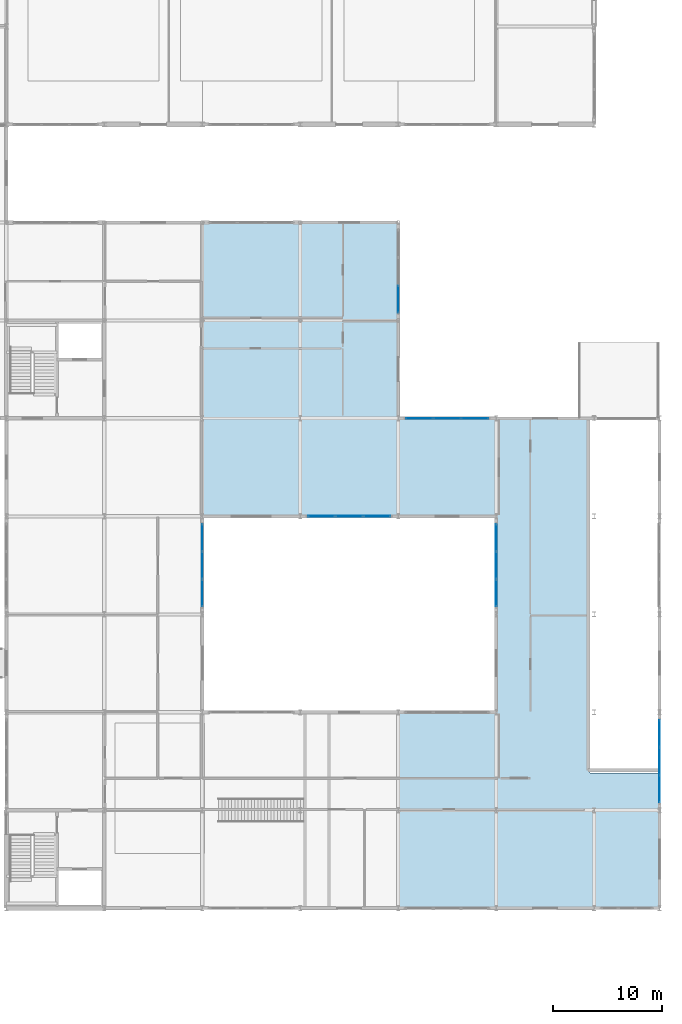
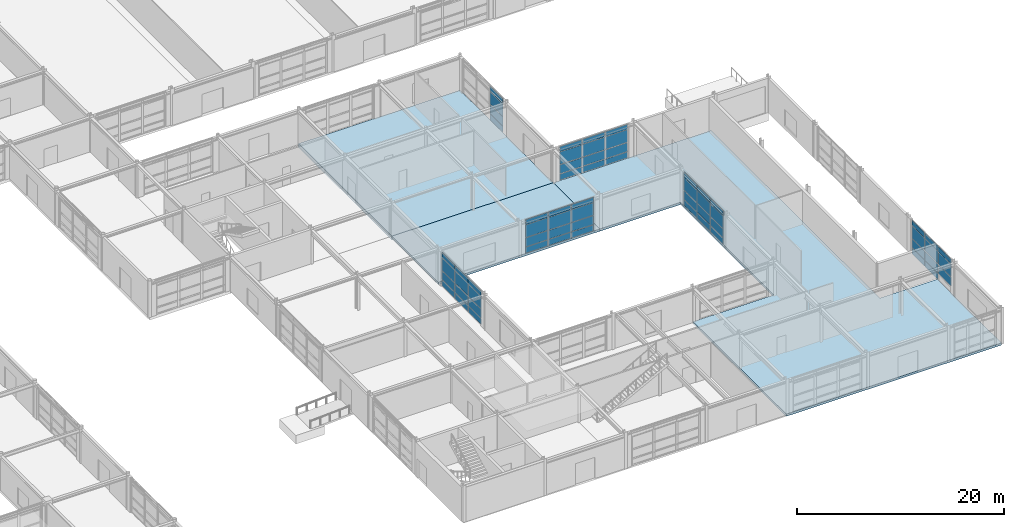
# One storey, part 52 of 72: 63 plates, 3 slabs, 6 elements without a shape of their own.
"""IFC4 building model written with IfcOpenShell, lengths in metres."""

from ifc_helpers import new_model, si_unit, direction, frame, origin, origin_2d, place, context, subcontext, project, spatial, polyline, rectangle, outline, extrude, material, layer, layer_set, type_object, element, aggregate, save


model = new_model("IFC4")

# Units and contexts
model_context = context("Model", 3, precision=1e-05, world=origin(), true_north=direction((0.0, 1.0)))
body_context = subcontext(model_context, "Body", "Model", "MODEL_VIEW")
ifc_project = project(units=[si_unit("LENGTHUNIT", "METRE"), si_unit("AREAUNIT", "SQUARE_METRE"), si_unit("VOLUMEUNIT", "CUBIC_METRE"), si_unit("PLANEANGLEUNIT", "RADIAN"), si_unit("MASSUNIT", "GRAM", prefix="KILO")], contexts=[model_context])

# Site, building, storey
site_placement = place(None, origin())
site = spatial("IfcSite", under=ifc_project, at=site_placement, CompositionType="ELEMENT")
building_placement = place(site_placement, origin())
building = spatial("IfcBuilding", under=site, at=building_placement, Name="Palais des Congres Ocreval", CompositionType="ELEMENT")
storey_placement = place(building_placement, origin())
storey = spatial("IfcBuildingStorey", under=building, at=storey_placement, Name="L00", CompositionType="ELEMENT", Elevation=0.0)

# Curtain wall, plates
ifc_material_1 = material(Name="Anodized bronze aluminium and low-E glass", Category="glass")
curtain_wall_type = type_object("IfcCurtainWallType", Name="Unitised Curtain Wall 7900x4060", PredefinedType="USERDEFINED", material=ifc_material_1)
curtain_wall_1_placement = place(storey_placement, origin())
curtain_wall_1 = element("IfcCurtainWall", 1, at=curtain_wall_1_placement, inside=storey, type_object=curtain_wall_type, Name="Unitised Curtain Wall CW01 L00", ObjectType="UNITISED CURTAIN WALL", PredefinedType="USERDEFINED")
ifc_material_2 = material(Name="Acoustic triple glazing", Category="glass")
ifc_layer_1 = layer(ifc_material_2, 0.0439453125)
ifc_layer_set_1 = layer_set([ifc_layer_1], Name="Acoustic Laminated Glazing Panel 44 (Acoustic triple glazing)")
plate_type_1 = type_object("IfcPlateType", Name="Acoustic Laminated Glazing Panel 44", PredefinedType="CURTAIN_PANEL", material=ifc_layer_set_1)
plate_1_placement = place(storey_placement, frame((153.0, 28.9521484375, 0.06005859375), z_axis=(0.0, 0.0, 1.0), x_axis=(0.0, 1.0, 0.0)))
plate_1 = element("IfcPlate", 2, at=plate_1_placement, type_object=plate_type_1, Name="Vision Glazing Panel VP02", PredefinedType="CURTAIN_PANEL", context=body_context, shape_type="SweptSolid", body=[
    extrude(rectangle(XDim=2.4541015625, YDim=0.0439453125, at=origin_2d()), origin(), (0.0, 0.0, 1.0), 0.68994140625),
])
plate_2_placement = place(storey_placement, frame((153.0, 28.9521484375, 0.81005859375), z_axis=(0.0, 0.0, 1.0), x_axis=(0.0, 1.0, 0.0)))
plate_2 = element("IfcPlate", 3, at=plate_2_placement, type_object=plate_type_1, Name="Vision Glazing Panel VP02", PredefinedType="CURTAIN_PANEL", context=body_context, shape_type="SweptSolid", body=[
    extrude(rectangle(XDim=2.4541015625, YDim=0.0439453125, at=origin_2d()), origin(), (0.0, 0.0, 1.0), 1.03271484375),
])
plate_3_placement = place(storey_placement, frame((153.0, 28.9521484375, 1.90283203125), z_axis=(0.0, 0.0, 1.0), x_axis=(0.0, 1.0, 0.0)))
plate_3 = element("IfcPlate", 4, at=plate_3_placement, type_object=plate_type_1, Name="Vision Glazing Panel VP02", PredefinedType="CURTAIN_PANEL", context=body_context, shape_type="SweptSolid", body=[
    extrude(rectangle(XDim=2.4541015625, YDim=0.0439453125, at=origin_2d()), origin(), (0.0, 0.0, 1.0), 1.47216796875),
])
plate_4_placement = place(storey_placement, frame((153.0, 31.5, 0.06005859375), z_axis=(0.0, 0.0, 1.0), x_axis=(0.0, 1.0, 0.0)))
plate_4 = element("IfcPlate", 5, at=plate_4_placement, type_object=plate_type_1, Name="Vision Glazing Panel VP02", PredefinedType="CURTAIN_PANEL", context=body_context, shape_type="SweptSolid", body=[
    extrude(rectangle(XDim=2.49169921875, YDim=0.0439453125, at=origin_2d()), origin(), (0.0, 0.0, 1.0), 0.68994140625),
])
plate_5_placement = place(storey_placement, frame((153.0, 31.5, 0.81005859375), z_axis=(0.0, 0.0, 1.0), x_axis=(0.0, 1.0, 0.0)))
plate_5 = element("IfcPlate", 6, at=plate_5_placement, type_object=plate_type_1, Name="Vision Glazing Panel VP02", PredefinedType="CURTAIN_PANEL", context=body_context, shape_type="SweptSolid", body=[
    extrude(rectangle(XDim=2.49169921875, YDim=0.0439453125, at=origin_2d()), origin(), (0.0, 0.0, 1.0), 1.03271484375),
])
plate_6_placement = place(storey_placement, frame((153.0, 31.5, 1.90283203125), z_axis=(0.0, 0.0, 1.0), x_axis=(0.0, 1.0, 0.0)))
plate_6 = element("IfcPlate", 7, at=plate_6_placement, type_object=plate_type_1, Name="Vision Glazing Panel VP02", PredefinedType="CURTAIN_PANEL", context=body_context, shape_type="SweptSolid", body=[
    extrude(rectangle(XDim=2.49169921875, YDim=0.0439453125, at=origin_2d()), origin(), (0.0, 0.0, 1.0), 1.47216796875),
])
plate_7_placement = place(storey_placement, frame((153.0, 34.0478515625, 0.06005859375), z_axis=(0.0, 0.0, 1.0), x_axis=(0.0, 1.0, 0.0)))
plate_7 = element("IfcPlate", 8, at=plate_7_placement, type_object=plate_type_1, Name="Vision Glazing Panel VP02", PredefinedType="CURTAIN_PANEL", context=body_context, shape_type="SweptSolid", body=[
    extrude(rectangle(XDim=2.4541015625, YDim=0.0439453125, at=origin_2d()), origin(), (0.0, 0.0, 1.0), 0.68994140625),
])
plate_8_placement = place(storey_placement, frame((153.0, 34.0478515625, 0.81005859375), z_axis=(0.0, 0.0, 1.0), x_axis=(0.0, 1.0, 0.0)))
plate_8 = element("IfcPlate", 9, at=plate_8_placement, type_object=plate_type_1, Name="Vision Glazing Panel VP02", PredefinedType="CURTAIN_PANEL", context=body_context, shape_type="SweptSolid", body=[
    extrude(rectangle(XDim=2.4541015625, YDim=0.0439453125, at=origin_2d()), origin(), (0.0, 0.0, 1.0), 1.03271484375),
])
plate_9_placement = place(storey_placement, frame((153.0, 34.0478515625, 1.90283203125), z_axis=(0.0, 0.0, 1.0), x_axis=(0.0, 1.0, 0.0)))
plate_9 = element("IfcPlate", 10, at=plate_9_placement, type_object=plate_type_1, Name="Vision Glazing Panel VP02", PredefinedType="CURTAIN_PANEL", context=body_context, shape_type="SweptSolid", body=[
    extrude(rectangle(XDim=2.4541015625, YDim=0.0439453125, at=origin_2d()), origin(), (0.0, 0.0, 1.0), 1.47216796875),
])

curtain_wall_2_placement = place(storey_placement, origin())
curtain_wall_2 = element("IfcCurtainWall", 11, at=curtain_wall_2_placement, inside=storey, type_object=curtain_wall_type, Name="Unitised Curtain Wall CW01 L00", ObjectType="UNITISED CURTAIN WALL", PredefinedType="USERDEFINED")
ifc_material_3 = material(Name="Anodized bronze aluminium", Category="aluminium")
ifc_layer_2 = layer(ifc_material_3, 0.06005859375)
ifc_layer_set_2 = layer_set([ifc_layer_2], Name="Anodized Bronze Spandrel Cassette 60 (Anodized bronze aluminium)")
plate_type_2 = type_object("IfcPlateType", Name="Anodized Bronze Spandrel Cassette 60", PredefinedType="SHEET", material=ifc_layer_set_2)
plate_10_placement = place(storey_placement, frame((145.9521484375, 45.0, 3.43505859375), z_axis=(0.0, 0.0, 1.0), x_axis=(1.0, 0.0, 0.0)))
plate_10 = element("IfcPlate", 12, at=plate_10_placement, type_object=plate_type_2, Name="Spandrel Sheet SPN1", PredefinedType="SHEET", context=body_context, shape_type="SweptSolid", body=[
    extrude(rectangle(XDim=2.4541015625, YDim=0.06005859375, at=origin_2d()), origin(), (0.0, 0.0, 1.0), 0.56005859375),
])
plate_11_placement = place(storey_placement, frame((148.5, 45.0, 3.43505859375), z_axis=(0.0, 0.0, 1.0), x_axis=(1.0, 0.0, 0.0)))
plate_11 = element("IfcPlate", 13, at=plate_11_placement, type_object=plate_type_2, Name="Spandrel Sheet SPN1", PredefinedType="SHEET", context=body_context, shape_type="SweptSolid", body=[
    extrude(rectangle(XDim=2.49169921875, YDim=0.06005859375, at=origin_2d()), origin(), (0.0, 0.0, 1.0), 0.56005859375),
])
plate_12_placement = place(storey_placement, frame((151.0478515625, 45.0, 3.43505859375), z_axis=(0.0, 0.0, 1.0), x_axis=(1.0, 0.0, 0.0)))
plate_12 = element("IfcPlate", 14, at=plate_12_placement, type_object=plate_type_2, Name="Spandrel Sheet SPN1", PredefinedType="SHEET", context=body_context, shape_type="SweptSolid", body=[
    extrude(rectangle(XDim=2.4541015625, YDim=0.06005859375, at=origin_2d()), origin(), (0.0, 0.0, 1.0), 0.56005859375),
])

curtain_wall_3_placement = place(storey_placement, origin())
curtain_wall_3 = element("IfcCurtainWall", 15, at=curtain_wall_3_placement, inside=storey, type_object=curtain_wall_type, Name="Unitised Curtain Wall CW01 L00", ObjectType="UNITISED CURTAIN WALL", PredefinedType="USERDEFINED")
plate_13_placement = place(storey_placement, frame((168.0, 16.0478515625, 3.43505859375), z_axis=(0.0, 0.0, 1.0), x_axis=(0.0, -1.0, 0.0)))
plate_13 = element("IfcPlate", 16, at=plate_13_placement, type_object=plate_type_2, Name="Spandrel Sheet SPN1", PredefinedType="SHEET", context=body_context, shape_type="SweptSolid", body=[
    extrude(rectangle(XDim=2.4541015625, YDim=0.06005859375, at=origin_2d()), origin(), (0.0, 0.0, 1.0), 0.56005859375),
])
plate_14_placement = place(storey_placement, frame((168.0, 13.5, 3.43505859375), z_axis=(0.0, 0.0, 1.0), x_axis=(0.0, -1.0, 0.0)))
plate_14 = element("IfcPlate", 17, at=plate_14_placement, type_object=plate_type_2, Name="Spandrel Sheet SPN1", PredefinedType="SHEET", context=body_context, shape_type="SweptSolid", body=[
    extrude(rectangle(XDim=2.49169921875, YDim=0.06005859375, at=origin_2d()), origin(), (0.0, 0.0, 1.0), 0.56005859375),
])
plate_15_placement = place(storey_placement, frame((168.0, 10.9521484375, 3.43505859375), z_axis=(0.0, 0.0, 1.0), x_axis=(0.0, -1.0, 0.0)))
plate_15 = element("IfcPlate", 18, at=plate_15_placement, type_object=plate_type_2, Name="Spandrel Sheet SPN1", PredefinedType="SHEET", context=body_context, shape_type="SweptSolid", body=[
    extrude(rectangle(XDim=2.4541015625, YDim=0.06005859375, at=origin_2d()), origin(), (0.0, 0.0, 1.0), 0.56005859375),
])

curtain_wall_4_placement = place(storey_placement, origin())
curtain_wall_4 = element("IfcCurtainWall", 19, at=curtain_wall_4_placement, inside=storey, type_object=curtain_wall_type, Name="Unitised Curtain Wall CW01 L00", ObjectType="UNITISED CURTAIN WALL", PredefinedType="USERDEFINED")
plate_16_placement = place(storey_placement, frame((142.0478515625, 36.0, 3.43505859375), z_axis=(0.0, 0.0, 1.0), x_axis=(-1.0, 0.0, 0.0)))
plate_16 = element("IfcPlate", 20, at=plate_16_placement, type_object=plate_type_2, Name="Spandrel Sheet SPN1", PredefinedType="SHEET", context=body_context, shape_type="SweptSolid", body=[
    extrude(rectangle(XDim=2.4541015625, YDim=0.06005859375, at=origin_2d()), origin(), (0.0, 0.0, 1.0), 0.56005859375),
])
plate_17_placement = place(storey_placement, frame((139.5, 36.0, 3.43505859375), z_axis=(0.0, 0.0, 1.0), x_axis=(-1.0, 0.0, 0.0)))
plate_17 = element("IfcPlate", 21, at=plate_17_placement, type_object=plate_type_2, Name="Spandrel Sheet SPN1", PredefinedType="SHEET", context=body_context, shape_type="SweptSolid", body=[
    extrude(rectangle(XDim=2.49169921875, YDim=0.06005859375, at=origin_2d()), origin(), (0.0, 0.0, 1.0), 0.56005859375),
])
plate_18_placement = place(storey_placement, frame((136.9521484375, 36.0, 3.43505859375), z_axis=(0.0, 0.0, 1.0), x_axis=(-1.0, 0.0, 0.0)))
plate_18 = element("IfcPlate", 22, at=plate_18_placement, type_object=plate_type_2, Name="Spandrel Sheet SPN1", PredefinedType="SHEET", context=body_context, shape_type="SweptSolid", body=[
    extrude(rectangle(XDim=2.4541015625, YDim=0.06005859375, at=origin_2d()), origin(), (0.0, 0.0, 1.0), 0.56005859375),
])

curtain_wall_5_placement = place(storey_placement, origin())
curtain_wall_5 = element("IfcCurtainWall", 23, at=curtain_wall_5_placement, inside=storey, type_object=curtain_wall_type, Name="Unitised Curtain Wall CW01 L00", ObjectType="UNITISED CURTAIN WALL", PredefinedType="USERDEFINED")
ifc_material_4 = material(Name="Low-E solar-control double glazing", Category="glass")
ifc_layer_3 = layer(ifc_material_4, 0.031982421875)
ifc_layer_set_3 = layer_set([ifc_layer_3], Name="Galleria Clear Vision Panel 32 (Low-E solar-control double glazing)")
plate_type_3 = type_object("IfcPlateType", Name="Galleria Clear Vision Panel 32", PredefinedType="CURTAIN_PANEL", material=ifc_layer_set_3)
plate_19_placement = place(storey_placement, frame((144.0, 55.9521484375, 0.06005859375), z_axis=(0.0, 0.0, 1.0), x_axis=(0.0, -1.0, 0.0)))
plate_19 = element("IfcPlate", 24, at=plate_19_placement, type_object=plate_type_3, Name="Vision Glazing Panel VP03", PredefinedType="CURTAIN_PANEL", context=body_context, shape_type="SweptSolid", body=[
    extrude(rectangle(XDim=2.4541015625, YDim=0.031982421875, at=origin_2d()), origin(), (0.0, 0.0, 1.0), 0.68994140625),
])
plate_20_placement = place(storey_placement, frame((144.0, 55.9521484375, 0.81005859375), z_axis=(0.0, 0.0, 1.0), x_axis=(0.0, -1.0, 0.0)))
plate_20 = element("IfcPlate", 25, at=plate_20_placement, type_object=plate_type_3, Name="Vision Glazing Panel VP03", PredefinedType="CURTAIN_PANEL", context=body_context, shape_type="SweptSolid", body=[
    extrude(rectangle(XDim=2.4541015625, YDim=0.031982421875, at=origin_2d()), origin(), (0.0, 0.0, 1.0), 1.03271484375),
])
plate_21_placement = place(storey_placement, frame((144.0, 55.9521484375, 1.90283203125), z_axis=(0.0, 0.0, 1.0), x_axis=(0.0, -1.0, 0.0)))
plate_21 = element("IfcPlate", 26, at=plate_21_placement, type_object=plate_type_3, Name="Vision Glazing Panel VP03", PredefinedType="CURTAIN_PANEL", context=body_context, shape_type="SweptSolid", body=[
    extrude(rectangle(XDim=2.4541015625, YDim=0.031982421875, at=origin_2d()), origin(), (0.0, 0.0, 1.0), 1.47216796875),
])

# Plate
plate_22_placement = place(storey_placement, frame((168.0, 16.0478515625, 0.06005859375), z_axis=(0.0, 0.0, 1.0), x_axis=(0.0, -1.0, 0.0)))
plate_22 = element("IfcPlate", 27, at=plate_22_placement, type_object=plate_type_3, Name="Vision Glazing Panel VP03", PredefinedType="CURTAIN_PANEL", context=body_context, shape_type="SweptSolid", body=[
    extrude(rectangle(XDim=2.4541015625, YDim=0.031982421875, at=origin_2d()), origin(), (0.0, 0.0, 1.0), 0.68994140625),
])

plate_23_placement = place(storey_placement, frame((168.0, 16.0478515625, 0.81005859375), z_axis=(0.0, 0.0, 1.0), x_axis=(0.0, -1.0, 0.0)))
plate_23 = element("IfcPlate", 28, at=plate_23_placement, type_object=plate_type_3, Name="Vision Glazing Panel VP03", PredefinedType="CURTAIN_PANEL", context=body_context, shape_type="SweptSolid", body=[
    extrude(rectangle(XDim=2.4541015625, YDim=0.031982421875, at=origin_2d()), origin(), (0.0, 0.0, 1.0), 1.03271484375),
])

plate_24_placement = place(storey_placement, frame((168.0, 16.0478515625, 1.90283203125), z_axis=(0.0, 0.0, 1.0), x_axis=(0.0, -1.0, 0.0)))
plate_24 = element("IfcPlate", 29, at=plate_24_placement, type_object=plate_type_3, Name="Vision Glazing Panel VP03", PredefinedType="CURTAIN_PANEL", context=body_context, shape_type="SweptSolid", body=[
    extrude(rectangle(XDim=2.4541015625, YDim=0.031982421875, at=origin_2d()), origin(), (0.0, 0.0, 1.0), 1.47216796875),
])

plate_25_placement = place(storey_placement, frame((168.0, 13.5, 0.06005859375), z_axis=(0.0, 0.0, 1.0), x_axis=(0.0, -1.0, 0.0)))
plate_25 = element("IfcPlate", 30, at=plate_25_placement, type_object=plate_type_3, Name="Vision Glazing Panel VP03", PredefinedType="CURTAIN_PANEL", context=body_context, shape_type="SweptSolid", body=[
    extrude(rectangle(XDim=2.49169921875, YDim=0.031982421875, at=origin_2d()), origin(), (0.0, 0.0, 1.0), 0.68994140625),
])

plate_26_placement = place(storey_placement, frame((168.0, 13.5, 0.81005859375), z_axis=(0.0, 0.0, 1.0), x_axis=(0.0, -1.0, 0.0)))
plate_26 = element("IfcPlate", 31, at=plate_26_placement, type_object=plate_type_3, Name="Vision Glazing Panel VP03", PredefinedType="CURTAIN_PANEL", context=body_context, shape_type="SweptSolid", body=[
    extrude(rectangle(XDim=2.49169921875, YDim=0.031982421875, at=origin_2d()), origin(), (0.0, 0.0, 1.0), 1.03271484375),
])

plate_27_placement = place(storey_placement, frame((168.0, 13.5, 1.90283203125), z_axis=(0.0, 0.0, 1.0), x_axis=(0.0, -1.0, 0.0)))
plate_27 = element("IfcPlate", 32, at=plate_27_placement, type_object=plate_type_3, Name="Vision Glazing Panel VP03", PredefinedType="CURTAIN_PANEL", context=body_context, shape_type="SweptSolid", body=[
    extrude(rectangle(XDim=2.49169921875, YDim=0.031982421875, at=origin_2d()), origin(), (0.0, 0.0, 1.0), 1.47216796875),
])

plate_28_placement = place(storey_placement, frame((168.0, 10.9521484375, 0.81005859375), z_axis=(0.0, 0.0, 1.0), x_axis=(0.0, -1.0, 0.0)))
plate_28 = element("IfcPlate", 33, at=plate_28_placement, type_object=plate_type_3, Name="Vision Glazing Panel VP03", PredefinedType="CURTAIN_PANEL", context=body_context, shape_type="SweptSolid", body=[
    extrude(rectangle(XDim=2.4541015625, YDim=0.031982421875, at=origin_2d()), origin(), (0.0, 0.0, 1.0), 1.03271484375),
])

plate_29_placement = place(storey_placement, frame((168.0, 10.9521484375, 1.90283203125), z_axis=(0.0, 0.0, 1.0), x_axis=(0.0, -1.0, 0.0)))
plate_29 = element("IfcPlate", 34, at=plate_29_placement, type_object=plate_type_3, Name="Vision Glazing Panel VP03", PredefinedType="CURTAIN_PANEL", context=body_context, shape_type="SweptSolid", body=[
    extrude(rectangle(XDim=2.4541015625, YDim=0.031982421875, at=origin_2d()), origin(), (0.0, 0.0, 1.0), 1.47216796875),
])

aggregate(curtain_wall_3, [plate_22, plate_23, plate_24, plate_13, plate_25, plate_26, plate_27, plate_14, plate_28, plate_29, plate_15])

plate_30_placement = place(storey_placement, frame((142.0478515625, 36.0, 0.06005859375), z_axis=(0.0, 0.0, 1.0), x_axis=(-1.0, 0.0, 0.0)))
plate_30 = element("IfcPlate", 35, at=plate_30_placement, type_object=plate_type_3, Name="Vision Glazing Panel VP03", PredefinedType="CURTAIN_PANEL", context=body_context, shape_type="SweptSolid", body=[
    extrude(rectangle(XDim=2.4541015625, YDim=0.031982421875, at=origin_2d()), origin(), (0.0, 0.0, 1.0), 0.68994140625),
])

plate_31_placement = place(storey_placement, frame((142.0478515625, 36.0, 0.81005859375), z_axis=(0.0, 0.0, 1.0), x_axis=(-1.0, 0.0, 0.0)))
plate_31 = element("IfcPlate", 36, at=plate_31_placement, type_object=plate_type_3, Name="Vision Glazing Panel VP03", PredefinedType="CURTAIN_PANEL", context=body_context, shape_type="SweptSolid", body=[
    extrude(rectangle(XDim=2.4541015625, YDim=0.031982421875, at=origin_2d()), origin(), (0.0, 0.0, 1.0), 1.03271484375),
])

plate_32_placement = place(storey_placement, frame((142.0478515625, 36.0, 1.90283203125), z_axis=(0.0, 0.0, 1.0), x_axis=(-1.0, 0.0, 0.0)))
plate_32 = element("IfcPlate", 37, at=plate_32_placement, type_object=plate_type_3, Name="Vision Glazing Panel VP03", PredefinedType="CURTAIN_PANEL", context=body_context, shape_type="SweptSolid", body=[
    extrude(rectangle(XDim=2.4541015625, YDim=0.031982421875, at=origin_2d()), origin(), (0.0, 0.0, 1.0), 1.47216796875),
])

plate_33_placement = place(storey_placement, frame((139.5, 36.0, 0.06005859375), z_axis=(0.0, 0.0, 1.0), x_axis=(-1.0, 0.0, 0.0)))
plate_33 = element("IfcPlate", 38, at=plate_33_placement, type_object=plate_type_3, Name="Vision Glazing Panel VP03", PredefinedType="CURTAIN_PANEL", context=body_context, shape_type="SweptSolid", body=[
    extrude(rectangle(XDim=2.49169921875, YDim=0.031982421875, at=origin_2d()), origin(), (0.0, 0.0, 1.0), 0.68994140625),
])

plate_34_placement = place(storey_placement, frame((139.5, 36.0, 0.81005859375), z_axis=(0.0, 0.0, 1.0), x_axis=(-1.0, 0.0, 0.0)))
plate_34 = element("IfcPlate", 39, at=plate_34_placement, type_object=plate_type_3, Name="Vision Glazing Panel VP03", PredefinedType="CURTAIN_PANEL", context=body_context, shape_type="SweptSolid", body=[
    extrude(rectangle(XDim=2.49169921875, YDim=0.031982421875, at=origin_2d()), origin(), (0.0, 0.0, 1.0), 1.03271484375),
])

plate_35_placement = place(storey_placement, frame((139.5, 36.0, 1.90283203125), z_axis=(0.0, 0.0, 1.0), x_axis=(-1.0, 0.0, 0.0)))
plate_35 = element("IfcPlate", 40, at=plate_35_placement, type_object=plate_type_3, Name="Vision Glazing Panel VP03", PredefinedType="CURTAIN_PANEL", context=body_context, shape_type="SweptSolid", body=[
    extrude(rectangle(XDim=2.49169921875, YDim=0.031982421875, at=origin_2d()), origin(), (0.0, 0.0, 1.0), 1.47216796875),
])

plate_36_placement = place(storey_placement, frame((136.9521484375, 36.0, 0.06005859375), z_axis=(0.0, 0.0, 1.0), x_axis=(-1.0, 0.0, 0.0)))
plate_36 = element("IfcPlate", 41, at=plate_36_placement, type_object=plate_type_3, Name="Vision Glazing Panel VP03", PredefinedType="CURTAIN_PANEL", context=body_context, shape_type="SweptSolid", body=[
    extrude(rectangle(XDim=2.4541015625, YDim=0.031982421875, at=origin_2d()), origin(), (0.0, 0.0, 1.0), 0.68994140625),
])

plate_37_placement = place(storey_placement, frame((136.9521484375, 36.0, 0.81005859375), z_axis=(0.0, 0.0, 1.0), x_axis=(-1.0, 0.0, 0.0)))
plate_37 = element("IfcPlate", 42, at=plate_37_placement, type_object=plate_type_3, Name="Vision Glazing Panel VP03", PredefinedType="CURTAIN_PANEL", context=body_context, shape_type="SweptSolid", body=[
    extrude(rectangle(XDim=2.4541015625, YDim=0.031982421875, at=origin_2d()), origin(), (0.0, 0.0, 1.0), 1.03271484375),
])

plate_38_placement = place(storey_placement, frame((136.9521484375, 36.0, 1.90283203125), z_axis=(0.0, 0.0, 1.0), x_axis=(-1.0, 0.0, 0.0)))
plate_38 = element("IfcPlate", 43, at=plate_38_placement, type_object=plate_type_3, Name="Vision Glazing Panel VP03", PredefinedType="CURTAIN_PANEL", context=body_context, shape_type="SweptSolid", body=[
    extrude(rectangle(XDim=2.4541015625, YDim=0.031982421875, at=origin_2d()), origin(), (0.0, 0.0, 1.0), 1.47216796875),
])

aggregate(curtain_wall_4, [plate_30, plate_31, plate_32, plate_16, plate_33, plate_34, plate_35, plate_17, plate_36, plate_37, plate_38, plate_18])

# Slabs
ifc_material_5 = material(Name="Concrete C40/50", Category="concrete")
ifc_layer_4 = layer(ifc_material_5, 0.260009765625)
ifc_layer_set_4 = layer_set([ifc_layer_4], Name="Ground Podium Slab 260 Concrete C40/50")
slab_type_1 = type_object("IfcSlabType", Name="Ground Podium Slab 260 Concrete C40/50", PredefinedType="FLOOR", material=ifc_layer_set_4)
slab_1_placement = place(storey_placement, frame((0.0, 0.0, -0.260009765625)))
element("IfcSlab", 44, at=slab_1_placement, inside=storey, type_object=slab_type_1, Name="Floor Slab SL08 L00 V3-2", PredefinedType="FLOOR", context=body_context, shape_type="SweptSolid", body=[
    extrude(outline(polyline([(144.0, 45.0), (144.0, 36.0), (126.0, 36.0), (126.0, 45.0), (144.0, 45.0)])), origin(), (0.0, 0.0, 1.0), 0.260009765625),
])
slab_2_placement = place(storey_placement, frame((0.0, 0.0, -0.260009765625)))
element("IfcSlab", 45, at=slab_2_placement, inside=storey, type_object=slab_type_1, Name="Floor Slab SL08 L00 V3-4", PredefinedType="FLOOR", context=body_context, shape_type="SweptSolid", body=[
    extrude(outline(polyline([(153.0, 45.0), (161.60009765625, 45.0), (161.60009765625, 12.39990234375), (168.0, 12.39990234375), (168.0, 0.0), (144.0, 0.0), (144.0, 18.0), (153.0, 18.0), (153.0, 36.0), (144.0, 36.0), (144.0, 45.0), (153.0, 45.0)])), origin(), (0.0, 0.0, 1.0), 0.260009765625),
])
ifc_layer_5 = layer(ifc_material_5, 0.449951171875)
ifc_layer_set_5 = layer_set([ifc_layer_5], Name="Hydrotherapy Pool and Cistern Slab 450 Concrete C40/50")
slab_type_2 = type_object("IfcSlabType", Name="Hydrotherapy Pool and Cistern Slab 450 Concrete C40/50", PredefinedType="FLOOR", material=ifc_layer_set_5)
slab_3_placement = place(storey_placement, frame((0.0, 0.0, -0.449951171875)))
element("IfcSlab", 46, at=slab_3_placement, inside=storey, type_object=slab_type_2, Name="Floor Slab SL03 L00 V5-8", PredefinedType="FLOOR", context=body_context, shape_type="SweptSolid", body=[
    extrude(outline(polyline([(144.0, 63.0), (144.0, 45.0), (126.0, 45.0), (126.0, 63.0), (144.0, 63.0)])), origin(), (0.0, 0.0, 1.0), 0.449951171875),
])

# Plate
ifc_layer_6 = layer(ifc_material_4, 0.035888671875)
ifc_layer_set_6 = layer_set([ifc_layer_6], Name="Low-E Vision Glazing Panel 36 (Low-E solar-control double glazing)")
plate_type_4 = type_object("IfcPlateType", Name="Low-E Vision Glazing Panel 36", PredefinedType="CURTAIN_PANEL", material=ifc_layer_set_6)
plate_39_placement = place(storey_placement, frame((145.9521484375, 45.0, 0.06005859375), z_axis=(0.0, 0.0, 1.0), x_axis=(1.0, 0.0, 0.0)))
plate_39 = element("IfcPlate", 47, at=plate_39_placement, type_object=plate_type_4, Name="Vision Glazing Panel VP01", PredefinedType="CURTAIN_PANEL", context=body_context, shape_type="SweptSolid", body=[
    extrude(rectangle(XDim=2.4541015625, YDim=0.035888671875, at=origin_2d()), origin(), (0.0, 0.0, 1.0), 0.68994140625),
])

plate_40_placement = place(storey_placement, frame((145.9521484375, 45.0, 0.81005859375), z_axis=(0.0, 0.0, 1.0), x_axis=(1.0, 0.0, 0.0)))
plate_40 = element("IfcPlate", 48, at=plate_40_placement, type_object=plate_type_4, Name="Vision Glazing Panel VP01", PredefinedType="CURTAIN_PANEL", context=body_context, shape_type="SweptSolid", body=[
    extrude(rectangle(XDim=2.4541015625, YDim=0.035888671875, at=origin_2d()), origin(), (0.0, 0.0, 1.0), 1.03271484375),
])

plate_41_placement = place(storey_placement, frame((145.9521484375, 45.0, 1.90283203125), z_axis=(0.0, 0.0, 1.0), x_axis=(1.0, 0.0, 0.0)))
plate_41 = element("IfcPlate", 49, at=plate_41_placement, type_object=plate_type_4, Name="Vision Glazing Panel VP01", PredefinedType="CURTAIN_PANEL", context=body_context, shape_type="SweptSolid", body=[
    extrude(rectangle(XDim=2.4541015625, YDim=0.035888671875, at=origin_2d()), origin(), (0.0, 0.0, 1.0), 1.47216796875),
])

plate_42_placement = place(storey_placement, frame((148.5, 45.0, 0.06005859375), z_axis=(0.0, 0.0, 1.0), x_axis=(1.0, 0.0, 0.0)))
plate_42 = element("IfcPlate", 50, at=plate_42_placement, type_object=plate_type_4, Name="Vision Glazing Panel VP01", PredefinedType="CURTAIN_PANEL", context=body_context, shape_type="SweptSolid", body=[
    extrude(rectangle(XDim=2.49169921875, YDim=0.035888671875, at=origin_2d()), origin(), (0.0, 0.0, 1.0), 0.68994140625),
])

plate_43_placement = place(storey_placement, frame((148.5, 45.0, 0.81005859375), z_axis=(0.0, 0.0, 1.0), x_axis=(1.0, 0.0, 0.0)))
plate_43 = element("IfcPlate", 51, at=plate_43_placement, type_object=plate_type_4, Name="Vision Glazing Panel VP01", PredefinedType="CURTAIN_PANEL", context=body_context, shape_type="SweptSolid", body=[
    extrude(rectangle(XDim=2.49169921875, YDim=0.035888671875, at=origin_2d()), origin(), (0.0, 0.0, 1.0), 1.03271484375),
])

plate_44_placement = place(storey_placement, frame((148.5, 45.0, 1.90283203125), z_axis=(0.0, 0.0, 1.0), x_axis=(1.0, 0.0, 0.0)))
plate_44 = element("IfcPlate", 52, at=plate_44_placement, type_object=plate_type_4, Name="Vision Glazing Panel VP01", PredefinedType="CURTAIN_PANEL", context=body_context, shape_type="SweptSolid", body=[
    extrude(rectangle(XDim=2.49169921875, YDim=0.035888671875, at=origin_2d()), origin(), (0.0, 0.0, 1.0), 1.47216796875),
])

plate_45_placement = place(storey_placement, frame((151.0478515625, 45.0, 0.06005859375), z_axis=(0.0, 0.0, 1.0), x_axis=(1.0, 0.0, 0.0)))
plate_45 = element("IfcPlate", 53, at=plate_45_placement, type_object=plate_type_4, Name="Vision Glazing Panel VP01", PredefinedType="CURTAIN_PANEL", context=body_context, shape_type="SweptSolid", body=[
    extrude(rectangle(XDim=2.4541015625, YDim=0.035888671875, at=origin_2d()), origin(), (0.0, 0.0, 1.0), 0.68994140625),
])

plate_46_placement = place(storey_placement, frame((151.0478515625, 45.0, 0.81005859375), z_axis=(0.0, 0.0, 1.0), x_axis=(1.0, 0.0, 0.0)))
plate_46 = element("IfcPlate", 54, at=plate_46_placement, type_object=plate_type_4, Name="Vision Glazing Panel VP01", PredefinedType="CURTAIN_PANEL", context=body_context, shape_type="SweptSolid", body=[
    extrude(rectangle(XDim=2.4541015625, YDim=0.035888671875, at=origin_2d()), origin(), (0.0, 0.0, 1.0), 1.03271484375),
])

plate_47_placement = place(storey_placement, frame((151.0478515625, 45.0, 1.90283203125), z_axis=(0.0, 0.0, 1.0), x_axis=(1.0, 0.0, 0.0)))
plate_47 = element("IfcPlate", 55, at=plate_47_placement, type_object=plate_type_4, Name="Vision Glazing Panel VP01", PredefinedType="CURTAIN_PANEL", context=body_context, shape_type="SweptSolid", body=[
    extrude(rectangle(XDim=2.4541015625, YDim=0.035888671875, at=origin_2d()), origin(), (0.0, 0.0, 1.0), 1.47216796875),
])

aggregate(curtain_wall_2, [plate_39, plate_40, plate_41, plate_10, plate_42, plate_43, plate_44, plate_11, plate_45, plate_46, plate_47, plate_12])

# Curtain wall, plates
curtain_wall_6_placement = place(storey_placement, origin())
curtain_wall_6 = element("IfcCurtainWall", 56, at=curtain_wall_6_placement, inside=storey, type_object=curtain_wall_type, Name="Unitised Curtain Wall CW01 L00", ObjectType="UNITISED CURTAIN WALL", PredefinedType="USERDEFINED")
plate_48_placement = place(storey_placement, frame((126.0, 34.0478515625, 0.06005859375), z_axis=(0.0, 0.0, 1.0), x_axis=(0.0, -1.0, 0.0)))
plate_48 = element("IfcPlate", 57, at=plate_48_placement, type_object=plate_type_4, Name="Vision Glazing Panel VP01", PredefinedType="CURTAIN_PANEL", context=body_context, shape_type="SweptSolid", body=[
    extrude(rectangle(XDim=2.4541015625, YDim=0.035888671875, at=origin_2d()), origin(), (0.0, 0.0, 1.0), 0.68994140625),
])
plate_49_placement = place(storey_placement, frame((126.0, 34.0478515625, 0.81005859375), z_axis=(0.0, 0.0, 1.0), x_axis=(0.0, -1.0, 0.0)))
plate_49 = element("IfcPlate", 58, at=plate_49_placement, type_object=plate_type_4, Name="Vision Glazing Panel VP01", PredefinedType="CURTAIN_PANEL", context=body_context, shape_type="SweptSolid", body=[
    extrude(rectangle(XDim=2.4541015625, YDim=0.035888671875, at=origin_2d()), origin(), (0.0, 0.0, 1.0), 1.03271484375),
])
plate_50_placement = place(storey_placement, frame((126.0, 34.0478515625, 1.90283203125), z_axis=(0.0, 0.0, 1.0), x_axis=(0.0, -1.0, 0.0)))
plate_50 = element("IfcPlate", 59, at=plate_50_placement, type_object=plate_type_4, Name="Vision Glazing Panel VP01", PredefinedType="CURTAIN_PANEL", context=body_context, shape_type="SweptSolid", body=[
    extrude(rectangle(XDim=2.4541015625, YDim=0.035888671875, at=origin_2d()), origin(), (0.0, 0.0, 1.0), 1.47216796875),
])
plate_51_placement = place(storey_placement, frame((126.0, 31.5, 0.06005859375), z_axis=(0.0, 0.0, 1.0), x_axis=(0.0, -1.0, 0.0)))
plate_51 = element("IfcPlate", 60, at=plate_51_placement, type_object=plate_type_4, Name="Vision Glazing Panel VP01", PredefinedType="CURTAIN_PANEL", context=body_context, shape_type="SweptSolid", body=[
    extrude(rectangle(XDim=2.49169921875, YDim=0.035888671875, at=origin_2d()), origin(), (0.0, 0.0, 1.0), 0.68994140625),
])
plate_52_placement = place(storey_placement, frame((126.0, 31.5, 0.81005859375), z_axis=(0.0, 0.0, 1.0), x_axis=(0.0, -1.0, 0.0)))
plate_52 = element("IfcPlate", 61, at=plate_52_placement, type_object=plate_type_4, Name="Vision Glazing Panel VP01", PredefinedType="CURTAIN_PANEL", context=body_context, shape_type="SweptSolid", body=[
    extrude(rectangle(XDim=2.49169921875, YDim=0.035888671875, at=origin_2d()), origin(), (0.0, 0.0, 1.0), 1.03271484375),
])
plate_53_placement = place(storey_placement, frame((126.0, 31.5, 1.90283203125), z_axis=(0.0, 0.0, 1.0), x_axis=(0.0, -1.0, 0.0)))
plate_53 = element("IfcPlate", 62, at=plate_53_placement, type_object=plate_type_4, Name="Vision Glazing Panel VP01", PredefinedType="CURTAIN_PANEL", context=body_context, shape_type="SweptSolid", body=[
    extrude(rectangle(XDim=2.49169921875, YDim=0.035888671875, at=origin_2d()), origin(), (0.0, 0.0, 1.0), 1.47216796875),
])
plate_54_placement = place(storey_placement, frame((126.0, 28.9521484375, 0.06005859375), z_axis=(0.0, 0.0, 1.0), x_axis=(0.0, -1.0, 0.0)))
plate_54 = element("IfcPlate", 63, at=plate_54_placement, type_object=plate_type_4, Name="Vision Glazing Panel VP01", PredefinedType="CURTAIN_PANEL", context=body_context, shape_type="SweptSolid", body=[
    extrude(rectangle(XDim=2.4541015625, YDim=0.035888671875, at=origin_2d()), origin(), (0.0, 0.0, 1.0), 0.68994140625),
])
plate_55_placement = place(storey_placement, frame((126.0, 28.9521484375, 0.81005859375), z_axis=(0.0, 0.0, 1.0), x_axis=(0.0, -1.0, 0.0)))
plate_55 = element("IfcPlate", 64, at=plate_55_placement, type_object=plate_type_4, Name="Vision Glazing Panel VP01", PredefinedType="CURTAIN_PANEL", context=body_context, shape_type="SweptSolid", body=[
    extrude(rectangle(XDim=2.4541015625, YDim=0.035888671875, at=origin_2d()), origin(), (0.0, 0.0, 1.0), 1.03271484375),
])
plate_56_placement = place(storey_placement, frame((126.0, 28.9521484375, 1.90283203125), z_axis=(0.0, 0.0, 1.0), x_axis=(0.0, -1.0, 0.0)))
plate_56 = element("IfcPlate", 65, at=plate_56_placement, type_object=plate_type_4, Name="Vision Glazing Panel VP01", PredefinedType="CURTAIN_PANEL", context=body_context, shape_type="SweptSolid", body=[
    extrude(rectangle(XDim=2.4541015625, YDim=0.035888671875, at=origin_2d()), origin(), (0.0, 0.0, 1.0), 1.47216796875),
])

# Plate
ifc_material_6 = material(Name="Terracotta ceramic spandrel", Category="masonry")
ifc_layer_7 = layer(ifc_material_6, 0.080078125)
ifc_layer_set_7 = layer_set([ifc_layer_7], Name="Terracotta Insulated Spandrel Sheet 80 (Terracotta ceramic spandrel)")
plate_type_5 = type_object("IfcPlateType", Name="Terracotta Insulated Spandrel Sheet 80", PredefinedType="SHEET", material=ifc_layer_set_7)
plate_57_placement = place(storey_placement, frame((144.0, 55.9521484375, 3.43505859375), z_axis=(0.0, 0.0, 1.0), x_axis=(0.0, -1.0, 0.0)))
plate_57 = element("IfcPlate", 66, at=plate_57_placement, type_object=plate_type_5, Name="Spandrel Sheet SPN2", PredefinedType="SHEET", context=body_context, shape_type="SweptSolid", body=[
    extrude(rectangle(XDim=2.4541015625, YDim=0.080078125, at=origin_2d()), origin(), (0.0, 0.0, 1.0), 0.56005859375),
])

aggregate(curtain_wall_5, [plate_19, plate_20, plate_21, plate_57])

plate_58_placement = place(storey_placement, frame((153.0, 28.9521484375, 3.43505859375), z_axis=(0.0, 0.0, 1.0), x_axis=(0.0, 1.0, 0.0)))
plate_58 = element("IfcPlate", 67, at=plate_58_placement, type_object=plate_type_5, Name="Spandrel Sheet SPN2", PredefinedType="SHEET", context=body_context, shape_type="SweptSolid", body=[
    extrude(rectangle(XDim=2.4541015625, YDim=0.080078125, at=origin_2d()), origin(), (0.0, 0.0, 1.0), 0.56005859375),
])

plate_59_placement = place(storey_placement, frame((153.0, 31.5, 3.43505859375), z_axis=(0.0, 0.0, 1.0), x_axis=(0.0, 1.0, 0.0)))
plate_59 = element("IfcPlate", 68, at=plate_59_placement, type_object=plate_type_5, Name="Spandrel Sheet SPN2", PredefinedType="SHEET", context=body_context, shape_type="SweptSolid", body=[
    extrude(rectangle(XDim=2.49169921875, YDim=0.080078125, at=origin_2d()), origin(), (0.0, 0.0, 1.0), 0.56005859375),
])

plate_60_placement = place(storey_placement, frame((153.0, 34.0478515625, 3.43505859375), z_axis=(0.0, 0.0, 1.0), x_axis=(0.0, 1.0, 0.0)))
plate_60 = element("IfcPlate", 69, at=plate_60_placement, type_object=plate_type_5, Name="Spandrel Sheet SPN2", PredefinedType="SHEET", context=body_context, shape_type="SweptSolid", body=[
    extrude(rectangle(XDim=2.4541015625, YDim=0.080078125, at=origin_2d()), origin(), (0.0, 0.0, 1.0), 0.56005859375),
])

aggregate(curtain_wall_1, [plate_1, plate_2, plate_3, plate_58, plate_4, plate_5, plate_6, plate_59, plate_7, plate_8, plate_9, plate_60])

plate_61_placement = place(storey_placement, frame((126.0, 34.0478515625, 3.43505859375), z_axis=(0.0, 0.0, 1.0), x_axis=(0.0, -1.0, 0.0)))
plate_61 = element("IfcPlate", 70, at=plate_61_placement, type_object=plate_type_5, Name="Spandrel Sheet SPN2", PredefinedType="SHEET", context=body_context, shape_type="SweptSolid", body=[
    extrude(rectangle(XDim=2.4541015625, YDim=0.080078125, at=origin_2d()), origin(), (0.0, 0.0, 1.0), 0.56005859375),
])

plate_62_placement = place(storey_placement, frame((126.0, 31.5, 3.43505859375), z_axis=(0.0, 0.0, 1.0), x_axis=(0.0, -1.0, 0.0)))
plate_62 = element("IfcPlate", 71, at=plate_62_placement, type_object=plate_type_5, Name="Spandrel Sheet SPN2", PredefinedType="SHEET", context=body_context, shape_type="SweptSolid", body=[
    extrude(rectangle(XDim=2.49169921875, YDim=0.080078125, at=origin_2d()), origin(), (0.0, 0.0, 1.0), 0.56005859375),
])

plate_63_placement = place(storey_placement, frame((126.0, 28.9521484375, 3.43505859375), z_axis=(0.0, 0.0, 1.0), x_axis=(0.0, -1.0, 0.0)))
plate_63 = element("IfcPlate", 72, at=plate_63_placement, type_object=plate_type_5, Name="Spandrel Sheet SPN2", PredefinedType="SHEET", context=body_context, shape_type="SweptSolid", body=[
    extrude(rectangle(XDim=2.4541015625, YDim=0.080078125, at=origin_2d()), origin(), (0.0, 0.0, 1.0), 0.56005859375),
])

aggregate(curtain_wall_6, [plate_48, plate_49, plate_50, plate_61, plate_51, plate_52, plate_53, plate_62, plate_54, plate_55, plate_56, plate_63])

save(model, "model.ifc")
